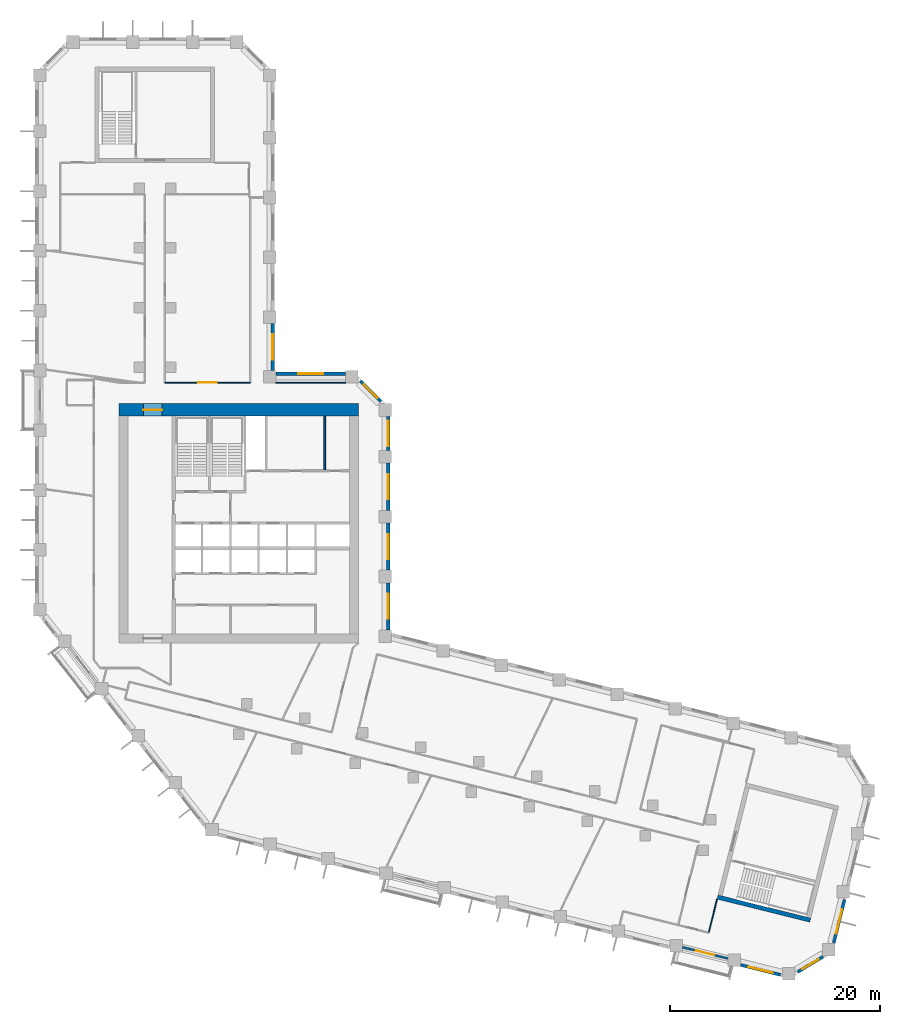
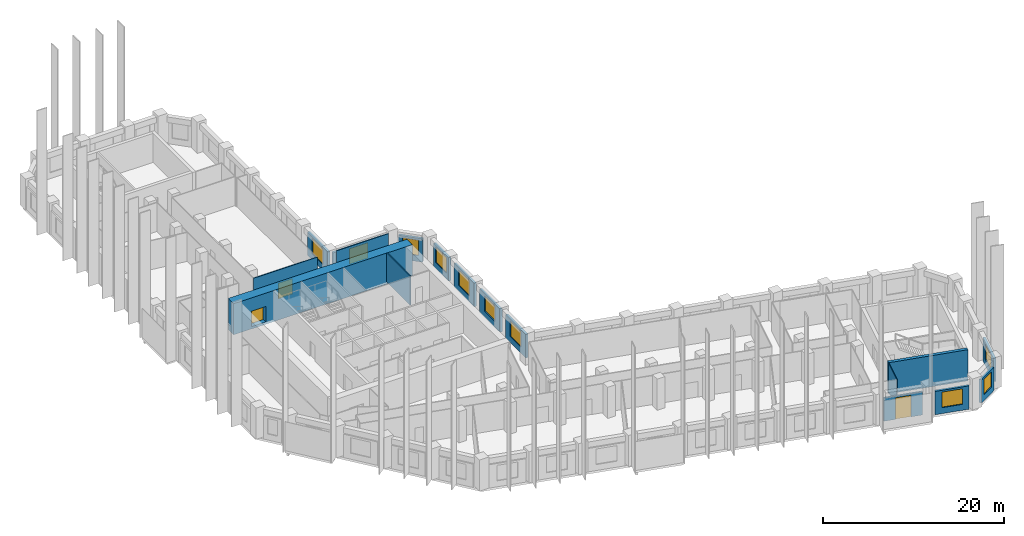
# One storey, part 6 of 10: 17 walls, 10 windows, 3 doors, 13 openings.
"""IFC4 building model written with IfcOpenShell, lengths in metres."""

from ifc_helpers import new_model, si_unit, direction, frame, frame_2d, origin, place, context, subcontext, project, spatial, rectangle, extrude, material, layer, layer_set, type_object, element, fill, save


model = new_model("IFC4")

# Units and contexts
model_context = context("Model", 3, precision=1e-05, world=origin(), true_north=direction((0.0, 1.0)))
body_context = subcontext(model_context, "Body", "Model", "MODEL_VIEW")
ifc_project = project(units=[si_unit("LENGTHUNIT", "METRE"), si_unit("AREAUNIT", "SQUARE_METRE"), si_unit("VOLUMEUNIT", "CUBIC_METRE"), si_unit("PLANEANGLEUNIT", "RADIAN"), si_unit("MASSUNIT", "GRAM", prefix="KILO")], contexts=[model_context])

# Site, building, storey
site_placement = place(None, origin())
site = spatial("IfcSite", under=ifc_project, at=site_placement, CompositionType="ELEMENT")
building_placement = place(site_placement, origin())
building = spatial("IfcBuilding", under=site, at=building_placement, Name="Meshkara Civic Tower", CompositionType="ELEMENT")
storey_placement = place(building_placement, frame((0.0, 0.0, 195.0)))
storey = spatial("IfcBuildingStorey", under=building, at=storey_placement, Name="L44", CompositionType="ELEMENT", Elevation=195.0)

# Wall
ifc_material_1 = material(Name="Blockwork", Category="masonry")
ifc_layer_1 = layer(ifc_material_1, 0.14990234375)
ifc_layer_set_1 = layer_set([ifc_layer_1], Name="Core partition 150")
wall_type_1 = type_object("IfcWallType", Name="Core partition 150", PredefinedType="PARTITIONING", material=ifc_layer_set_1)
wall_1_placement = place(storey_placement, frame((27.60009765625, 30.574951171875, 0.0), z_axis=(0.0, 0.0, 1.0), x_axis=(0.0, 1.0, 0.0)))
element("IfcWall", 1, at=wall_1_placement, inside=storey, type_object=wall_type_1, Name="L44-C022", PredefinedType="PARTITIONING", context=body_context, shape_type="SweptSolid", body=[
    extrude(rectangle(XDim=5.125, YDim=0.14990234375, at=frame_2d((2.5625, 0.0))), origin(), (0.0, 0.0, 1.0), 3.89990234375),
])

# Wall, opening, door
ifc_material_2 = material(Name="Concrete C70", Category="concrete")
ifc_layer_2 = layer(ifc_material_2, 1.199951171875)
ifc_layer_set_2 = layer_set([ifc_layer_2], Name="Core ring wall 1200 C70")
wall_type_2 = type_object("IfcWallType", Name="Core ring wall 1200 C70", PredefinedType="SHEAR", material=ifc_layer_set_2)
wall_2_placement = place(storey_placement, frame((8.0, 36.300048828125, -0.300048828125), z_axis=(0.0, 0.0, 1.0), x_axis=(1.0, 0.0, 0.0)))
wall_2 = element("IfcWall", 2, at=wall_2_placement, inside=storey, type_object=wall_type_2, Name="L44-C002", PredefinedType="SHEAR", context=body_context, shape_type="SweptSolid", body=[
    extrude(rectangle(XDim=22.800048828125, YDim=1.199951171875, at=frame_2d((11.39990234375, 0.0))), origin(), (0.0, 0.0, 1.0), 4.199951171875),
])
opening_1_placement = place(wall_2_placement, frame((2.300048828125, 0.0, 0.300048828125)))
opening_1 = element("IfcOpeningElement", 3, at=opening_1_placement, cuts=wall_2, Name="Opening L44-K020", PredefinedType="OPENING", context=body_context, shape_type="SweptSolid", body=[
    extrude(rectangle(XDim=1.800048828125, YDim=2.10009765625, at=frame_2d((0.89990234375, 1.050048828125))), frame((0.0, 0.60986328125, 0.0), z_axis=(0.0, -1.0, 0.0), x_axis=(1.0, 0.0, 0.0)), (0.0, 0.0, 1.0), 1.219970703125),
])
ifc_material_3 = material(Name="Fire-rated door leaf in steel frame", Category="steel")
door_type_1 = type_object("IfcDoorType", Name="Core double door 1800 EI 60", OperationType="DOUBLE_DOOR_SINGLE_SWING", PredefinedType="DOOR", material=ifc_material_3)
door_1_placement = place(opening_1_placement, origin())
door_1 = element("IfcDoor", 4, at=door_1_placement, inside=storey, type_object=door_type_1, Name="L44-K020", OperationType="DOUBLE_DOOR_SINGLE_SWING", OverallHeight=2.10009765625, OverallWidth=1.800048828125, PredefinedType="DOOR", context=body_context, shape_type="SweptSolid", body=[
    extrude(rectangle(XDim=1.800048828125, YDim=2.10009765625, at=frame_2d((0.89990234375, 1.050048828125))), frame((0.0, 0.02490234375, 0.0), z_axis=(0.0, -1.0, 0.0), x_axis=(1.0, 0.0, 0.0)), (0.0, 0.0, 1.0), 0.050048828125),
])
fill(opening_1, door_1)

ifc_material_4 = material(Name="Corridor wall 100")
ifc_layer_3 = layer(ifc_material_4, 0.10009765625)
ifc_layer_set_3 = layer_set([ifc_layer_3], Name="Corridor wall 100")
wall_type_3 = type_object("IfcWallType", Name="Corridor wall 100", PredefinedType="PARTITIONING", material=ifc_layer_set_3)
wall_3_placement = place(storey_placement, frame((20.5, 38.89990234375, 0.0), z_axis=(0.0, 0.0, 1.0), x_axis=(-1.0, 0.0, 0.0)))
wall_3 = element("IfcWall", 5, at=wall_3_placement, inside=storey, type_object=wall_type_3, Name="L44-W019", PredefinedType="PARTITIONING", context=body_context, shape_type="SweptSolid", body=[
    extrude(rectangle(XDim=8.14990234375, YDim=0.10009765625, at=frame_2d((4.074951171875, 0.0))), origin(), (0.0, 0.0, 1.0), 3.89990234375),
])
opening_2_placement = place(wall_3_placement, frame((3.179931640625, 0.0, 0.0)))
opening_2 = element("IfcOpeningElement", 6, at=opening_2_placement, cuts=wall_3, Name="Opening L44-D017", PredefinedType="OPENING", context=body_context, shape_type="SweptSolid", body=[
    extrude(rectangle(XDim=1.800048828125, YDim=2.10009765625, at=frame_2d((0.89990234375, 1.050048828125))), frame((0.0, 0.06005859375, 0.0), z_axis=(0.0, -1.0, 0.0), x_axis=(1.0, 0.0, 0.0)), (0.0, 0.0, 1.0), 0.1201171875),
])
ifc_material_5 = material(Name="Door pair 1800 x 2100")
door_type_2 = type_object("IfcDoorType", Name="Door pair 1800 x 2100", OperationType="SINGLE_SWING_LEFT", PredefinedType="DOOR", material=ifc_material_5)
door_2_placement = place(opening_2_placement, origin())
door_2 = element("IfcDoor", 7, at=door_2_placement, inside=storey, type_object=door_type_2, Name="L44-D017", OperationType="DOUBLE_DOOR_SINGLE_SWING", OverallHeight=2.10009765625, OverallWidth=1.800048828125, PredefinedType="DOOR", context=body_context, shape_type="SweptSolid", body=[
    extrude(rectangle(XDim=1.800048828125, YDim=2.10009765625, at=frame_2d((0.89990234375, 1.050048828125))), frame((0.0, 0.02490234375, 0.0), z_axis=(0.0, -1.0, 0.0), x_axis=(1.0, 0.0, 0.0)), (0.0, 0.0, 1.0), 0.050048828125),
])
fill(opening_2, door_2)

# Walls
wall_4_placement = place(storey_placement, frame((29.593994140625, 38.89990234375, 0.0), z_axis=(0.0, 0.0, 1.0), x_axis=(-1.0, 0.0, 0.0)))
element("IfcWall", 8, at=wall_4_placement, inside=storey, type_object=wall_type_3, Name="L44-W022", PredefinedType="PARTITIONING", context=body_context, shape_type="SweptSolid", body=[
    extrude(rectangle(XDim=6.64404296875, YDim=0.10009765625, at=frame_2d((3.322021484375, 0.0))), origin(), (0.0, 0.0, 1.0), 3.89990234375),
])
wall_5_placement = place(storey_placement, frame((64.202880859375, -13.533935546875, 0.0), z_axis=(0.0, 0.0, 1.0), x_axis=(0.241856645367, 0.970311992656, 0.0)))
element("IfcWall", 9, at=wall_5_placement, inside=storey, type_object=wall_type_3, Name="L44-W036", PredefinedType="PARTITIONING", context=body_context, shape_type="SweptSolid", body=[
    extrude(rectangle(XDim=3.2998046875, YDim=0.10009765625, at=frame_2d((1.64990234375, 0.0))), origin(), (0.0, 0.0, 1.0), 3.89990234375),
])

# Wall, opening, window
ifc_material_6 = material(Name="Insulated infill panel with bronze anodised aluminium cladding", Category="aluminium")
ifc_layer_4 = layer(ifc_material_6, 0.300048828125)
ifc_layer_set_4 = layer_set([ifc_layer_4], Name="EXTERNAL INFILL WALL 300")
wall_type_4 = type_object("IfcWallType", Name="EXTERNAL INFILL WALL 300", PredefinedType="SOLIDWALL", material=ifc_layer_set_4)
wall_6_placement = place(storey_placement, frame((33.64990234375, 15.319091796875, 0.0), z_axis=(0.0, 0.0, 1.0), x_axis=(0.0, 1.0, 0.0)))
wall_6 = element("IfcWall", 10, at=wall_6_placement, inside=storey, type_object=wall_type_4, Name="External wall", PredefinedType="SOLIDWALL", context=body_context, shape_type="SweptSolid", body=[
    extrude(rectangle(XDim=4.5, YDim=0.300048828125, at=frame_2d((2.25, 0.0))), origin(), (0.0, 0.0, 1.0), 3.14990234375),
])
opening_3_placement = place(wall_6_placement, frame((1.050048828125, 0.0, 0.800048828125)))
opening_3 = element("IfcOpeningElement", 11, at=opening_3_placement, cuts=wall_6, Name="Opening W7", PredefinedType="OPENING", context=body_context, shape_type="SweptSolid", body=[
    extrude(rectangle(XDim=2.39990234375, YDim=2.10009765625, at=frame_2d((1.199951171875, 1.050048828125))), frame((0.0, 0.159912109375, 0.0), z_axis=(0.0, -1.0, 0.0), x_axis=(1.0, 0.0, 0.0)), (0.0, 0.0, 1.0), 0.320068359375),
])
ifc_material_7 = material(Name="Tinted double glazing", Category="glass")
window_type_1 = type_object("IfcWindowType", Name="WINDOW 2400x2100", PartitioningType="DOUBLE_PANEL_VERTICAL", PredefinedType="WINDOW", material=ifc_material_7)
window_1_placement = place(opening_3_placement, origin())
window_1 = element("IfcWindow", 12, at=window_1_placement, inside=storey, type_object=window_type_1, Name="Window", OverallHeight=2.10009765625, OverallWidth=2.39990234375, PartitioningType="DOUBLE_PANEL_VERTICAL", PredefinedType="WINDOW", context=body_context, shape_type="SweptSolid", body=[
    extrude(rectangle(XDim=2.39990234375, YDim=2.10009765625, at=frame_2d((1.199951171875, 1.050048828125))), frame((0.0, 0.030029296875, 0.0), z_axis=(0.0, -1.0, 0.0), x_axis=(1.0, 0.0, 0.0)), (0.0, 0.0, 1.0), 0.06005859375),
])
fill(opening_3, window_1)

wall_7_placement = place(storey_placement, frame((33.64990234375, 21.01904296875, 0.0), z_axis=(0.0, 0.0, 1.0), x_axis=(0.0, 1.0, 0.0)))
wall_7 = element("IfcWall", 13, at=wall_7_placement, inside=storey, type_object=wall_type_4, Name="External wall", PredefinedType="SOLIDWALL", context=body_context, shape_type="SweptSolid", body=[
    extrude(rectangle(XDim=4.5, YDim=0.300048828125, at=frame_2d((2.25, 0.0))), origin(), (0.0, 0.0, 1.0), 3.14990234375),
])
opening_4_placement = place(wall_7_placement, frame((1.050048828125, 0.0, 0.800048828125)))
opening_4 = element("IfcOpeningElement", 14, at=opening_4_placement, cuts=wall_7, Name="Opening W7", PredefinedType="OPENING", context=body_context, shape_type="SweptSolid", body=[
    extrude(rectangle(XDim=2.39990234375, YDim=2.10009765625, at=frame_2d((1.199951171875, 1.050048828125))), frame((0.0, 0.159912109375, 0.0), z_axis=(0.0, -1.0, 0.0), x_axis=(1.0, 0.0, 0.0)), (0.0, 0.0, 1.0), 0.320068359375),
])
window_2_placement = place(opening_4_placement, origin())
window_2 = element("IfcWindow", 15, at=window_2_placement, inside=storey, type_object=window_type_1, Name="Window", OverallHeight=2.10009765625, OverallWidth=2.39990234375, PartitioningType="DOUBLE_PANEL_VERTICAL", PredefinedType="WINDOW", context=body_context, shape_type="SweptSolid", body=[
    extrude(rectangle(XDim=2.39990234375, YDim=2.10009765625, at=frame_2d((1.199951171875, 1.050048828125))), frame((0.0, 0.030029296875, 0.0), z_axis=(0.0, -1.0, 0.0), x_axis=(1.0, 0.0, 0.0)), (0.0, 0.0, 1.0), 0.06005859375),
])
fill(opening_4, window_2)

wall_8_placement = place(storey_placement, frame((33.64990234375, 26.718994140625, 0.0), z_axis=(0.0, 0.0, 1.0), x_axis=(0.0, 1.0, 0.0)))
wall_8 = element("IfcWall", 16, at=wall_8_placement, inside=storey, type_object=wall_type_4, Name="External wall", PredefinedType="SOLIDWALL", context=body_context, shape_type="SweptSolid", body=[
    extrude(rectangle(XDim=4.5, YDim=0.300048828125, at=frame_2d((2.25, 0.0))), origin(), (0.0, 0.0, 1.0), 3.14990234375),
])
opening_5_placement = place(wall_8_placement, frame((1.050048828125, 0.0, 0.800048828125)))
opening_5 = element("IfcOpeningElement", 17, at=opening_5_placement, cuts=wall_8, Name="Opening W7", PredefinedType="OPENING", context=body_context, shape_type="SweptSolid", body=[
    extrude(rectangle(XDim=2.39990234375, YDim=2.10009765625, at=frame_2d((1.199951171875, 1.050048828125))), frame((0.0, 0.159912109375, 0.0), z_axis=(0.0, -1.0, 0.0), x_axis=(1.0, 0.0, 0.0)), (0.0, 0.0, 1.0), 0.320068359375),
])
window_3_placement = place(opening_5_placement, origin())
window_3 = element("IfcWindow", 18, at=window_3_placement, inside=storey, type_object=window_type_1, Name="Window", OverallHeight=2.10009765625, OverallWidth=2.39990234375, PartitioningType="DOUBLE_PANEL_VERTICAL", PredefinedType="WINDOW", context=body_context, shape_type="SweptSolid", body=[
    extrude(rectangle(XDim=2.39990234375, YDim=2.10009765625, at=frame_2d((1.199951171875, 1.050048828125))), frame((0.0, 0.030029296875, 0.0), z_axis=(0.0, -1.0, 0.0), x_axis=(1.0, 0.0, 0.0)), (0.0, 0.0, 1.0), 0.06005859375),
])
fill(opening_5, window_3)

wall_9_placement = place(storey_placement, frame((33.64990234375, 32.4189453125, 0.0), z_axis=(0.0, 0.0, 1.0), x_axis=(0.0, 1.0, 0.0)))
wall_9 = element("IfcWall", 19, at=wall_9_placement, inside=storey, type_object=wall_type_4, Name="External wall", PredefinedType="SOLIDWALL", context=body_context, shape_type="SweptSolid", body=[
    extrude(rectangle(XDim=3.275146484375, YDim=0.300048828125, at=frame_2d((1.6376953125, 0.0))), origin(), (0.0, 0.0, 1.0), 3.14990234375),
])
opening_6_placement = place(wall_9_placement, frame((0.43798828125, 0.0, 0.800048828125)))
opening_6 = element("IfcOpeningElement", 20, at=opening_6_placement, cuts=wall_9, Name="Opening W7", PredefinedType="OPENING", context=body_context, shape_type="SweptSolid", body=[
    extrude(rectangle(XDim=2.39990234375, YDim=2.10009765625, at=frame_2d((1.199951171875, 1.050048828125))), frame((0.0, 0.159912109375, 0.0), z_axis=(0.0, -1.0, 0.0), x_axis=(1.0, 0.0, 0.0)), (0.0, 0.0, 1.0), 0.320068359375),
])
window_4_placement = place(opening_6_placement, origin())
window_4 = element("IfcWindow", 21, at=window_4_placement, inside=storey, type_object=window_type_1, Name="Window", OverallHeight=2.10009765625, OverallWidth=2.39990234375, PartitioningType="DOUBLE_PANEL_VERTICAL", PredefinedType="WINDOW", context=body_context, shape_type="SweptSolid", body=[
    extrude(rectangle(XDim=2.39990234375, YDim=2.10009765625, at=frame_2d((1.199951171875, 1.050048828125))), frame((0.0, 0.030029296875, 0.0), z_axis=(0.0, -1.0, 0.0), x_axis=(1.0, 0.0, 0.0)), (0.0, 0.0, 1.0), 0.06005859375),
])
fill(opening_6, window_4)

wall_10_placement = place(storey_placement, frame((32.9619140625, 37.10595703125, 0.0), z_axis=(0.0, 0.0, 1.0), x_axis=(-0.707062649074, 0.707150910545, 0.0)))
wall_10 = element("IfcWall", 22, at=wall_10_placement, inside=storey, type_object=wall_type_4, Name="External wall", PredefinedType="SOLIDWALL", context=body_context, shape_type="SweptSolid", body=[
    extrude(rectangle(XDim=2.76611328125, YDim=0.300048828125, at=frame_2d((1.383056640625, 0.0))), origin(), (0.0, 0.0, 1.0), 3.14990234375),
])
opening_7_placement = place(wall_10_placement, frame((0.48291015625, 0.0, 0.800048828125)))
opening_7 = element("IfcOpeningElement", 23, at=opening_7_placement, cuts=wall_10, Name="Opening W9", PredefinedType="OPENING", context=body_context, shape_type="SweptSolid", body=[
    extrude(rectangle(XDim=1.800048828125, YDim=2.10009765625, at=frame_2d((0.89990234375, 1.050048828125))), frame((0.0, 0.159912109375, 0.0), z_axis=(0.0, -1.0, 0.0), x_axis=(1.0, 0.0, 0.0)), (0.0, 0.0, 1.0), 0.320068359375),
])
ifc_material_8 = material(Name="Tinted double glazing", Category="glass")
window_type_2 = type_object("IfcWindowType", Name="WINDOW 1800x2100", PartitioningType="DOUBLE_PANEL_VERTICAL", PredefinedType="WINDOW", material=ifc_material_8)
window_5_placement = place(opening_7_placement, origin())
window_5 = element("IfcWindow", 24, at=window_5_placement, inside=storey, type_object=window_type_2, Name="Window", OverallHeight=2.10009765625, OverallWidth=1.800048828125, PartitioningType="DOUBLE_PANEL_VERTICAL", PredefinedType="WINDOW", context=body_context, shape_type="SweptSolid", body=[
    extrude(rectangle(XDim=1.800048828125, YDim=2.10009765625, at=frame_2d((0.89990234375, 1.050048828125))), frame((0.0, 0.030029296875, 0.0), z_axis=(0.0, -1.0, 0.0), x_axis=(1.0, 0.0, 0.0)), (0.0, 0.0, 1.0), 0.06005859375),
])
fill(opening_7, window_5)

wall_11_placement = place(storey_placement, frame((29.593994140625, 39.75, 0.0), z_axis=(0.0, 0.0, 1.0), x_axis=(-1.0, 0.0, 0.0)))
wall_11 = element("IfcWall", 25, at=wall_11_placement, inside=storey, type_object=wall_type_4, Name="External wall", PredefinedType="SOLIDWALL", context=body_context, shape_type="SweptSolid", body=[
    extrude(rectangle(XDim=6.64404296875, YDim=0.300048828125, at=frame_2d((3.322021484375, 0.0))), origin(), (0.0, 0.0, 1.0), 3.14990234375),
])
opening_8_placement = place(wall_11_placement, frame((2.1220703125, 0.0, 0.800048828125)))
opening_8 = element("IfcOpeningElement", 26, at=opening_8_placement, cuts=wall_11, Name="Opening W7", PredefinedType="OPENING", context=body_context, shape_type="SweptSolid", body=[
    extrude(rectangle(XDim=2.39990234375, YDim=2.10009765625, at=frame_2d((1.199951171875, 1.050048828125))), frame((0.0, 0.159912109375, 0.0), z_axis=(0.0, -1.0, 0.0), x_axis=(1.0, 0.0, 0.0)), (0.0, 0.0, 1.0), 0.320068359375),
])
window_6_placement = place(opening_8_placement, origin())
window_6 = element("IfcWindow", 27, at=window_6_placement, inside=storey, type_object=window_type_1, Name="Window", OverallHeight=2.10009765625, OverallWidth=2.39990234375, PartitioningType="DOUBLE_PANEL_VERTICAL", PredefinedType="WINDOW", context=body_context, shape_type="SweptSolid", body=[
    extrude(rectangle(XDim=2.39990234375, YDim=2.10009765625, at=frame_2d((1.199951171875, 1.050048828125))), frame((0.0, 0.030029296875, 0.0), z_axis=(0.0, -1.0, 0.0), x_axis=(1.0, 0.0, 0.0)), (0.0, 0.0, 1.0), 0.06005859375),
])
fill(opening_8, window_6)

wall_12_placement = place(storey_placement, frame((22.64990234375, 40.050048828125, 0.0), z_axis=(0.0, 0.0, 1.0), x_axis=(0.0, 1.0, 0.0)))
wall_12 = element("IfcWall", 28, at=wall_12_placement, inside=storey, type_object=wall_type_4, Name="External wall", PredefinedType="SOLIDWALL", context=body_context, shape_type="SweptSolid", body=[
    extrude(rectangle(XDim=4.5, YDim=0.300048828125, at=frame_2d((2.25, 0.0))), origin(), (0.0, 0.0, 1.0), 3.14990234375),
])
opening_9_placement = place(wall_12_placement, frame((1.050048828125, 0.0, 0.800048828125)))
opening_9 = element("IfcOpeningElement", 29, at=opening_9_placement, cuts=wall_12, Name="Opening W7", PredefinedType="OPENING", context=body_context, shape_type="SweptSolid", body=[
    extrude(rectangle(XDim=2.39990234375, YDim=2.10009765625, at=frame_2d((1.199951171875, 1.050048828125))), frame((0.0, 0.159912109375, 0.0), z_axis=(0.0, -1.0, 0.0), x_axis=(1.0, 0.0, 0.0)), (0.0, 0.0, 1.0), 0.320068359375),
])
window_7_placement = place(opening_9_placement, origin())
window_7 = element("IfcWindow", 30, at=window_7_placement, inside=storey, type_object=window_type_1, Name="Window", OverallHeight=2.10009765625, OverallWidth=2.39990234375, PartitioningType="DOUBLE_PANEL_VERTICAL", PredefinedType="WINDOW", context=body_context, shape_type="SweptSolid", body=[
    extrude(rectangle(XDim=2.39990234375, YDim=2.10009765625, at=frame_2d((1.199951171875, 1.050048828125))), frame((0.0, 0.030029296875, 0.0), z_axis=(0.0, -1.0, 0.0), x_axis=(1.0, 0.0, 0.0)), (0.0, 0.0, 1.0), 0.06005859375),
])
fill(opening_9, window_7)

wall_13_placement = place(storey_placement, frame((67.260009765625, -16.614990234375, 0.0), z_axis=(0.0, 0.0, 1.0), x_axis=(0.97033344074, -0.241770580885, 0.0)))
wall_13 = element("IfcWall", 31, at=wall_13_placement, inside=storey, type_object=wall_type_4, Name="External wall", PredefinedType="SOLIDWALL", context=body_context, shape_type="SweptSolid", body=[
    extrude(rectangle(XDim=3.905029296875, YDim=0.300048828125, at=frame_2d((1.95263671875, 0.0))), origin(), (0.0, 0.0, 1.0), 3.14990234375),
])
opening_10_placement = place(wall_13_placement, frame((0.751953125, 0.0, 0.800048828125)))
opening_10 = element("IfcOpeningElement", 32, at=opening_10_placement, cuts=wall_13, Name="Opening W7", PredefinedType="OPENING", context=body_context, shape_type="SweptSolid", body=[
    extrude(rectangle(XDim=2.39990234375, YDim=2.10009765625, at=frame_2d((1.199951171875, 1.050048828125))), frame((0.0, 0.159912109375, 0.0), z_axis=(0.0, -1.0, 0.0), x_axis=(1.0, 0.0, 0.0)), (0.0, 0.0, 1.0), 0.320068359375),
])
window_8_placement = place(opening_10_placement, origin())
window_8 = element("IfcWindow", 33, at=window_8_placement, inside=storey, type_object=window_type_1, Name="Window", OverallHeight=2.10009765625, OverallWidth=2.39990234375, PartitioningType="DOUBLE_PANEL_VERTICAL", PredefinedType="WINDOW", context=body_context, shape_type="SweptSolid", body=[
    extrude(rectangle(XDim=2.39990234375, YDim=2.10009765625, at=frame_2d((1.199951171875, 1.050048828125))), frame((0.0, 0.030029296875, 0.0), z_axis=(0.0, -1.0, 0.0), x_axis=(1.0, 0.0, 0.0)), (0.0, 0.0, 1.0), 0.06005859375),
])
fill(opening_10, window_8)

wall_14_placement = place(storey_placement, frame((72.68701171875, -17.277099609375, 0.0), z_axis=(0.0, 0.0, 1.0), x_axis=(0.857309341171, 0.514801606, 0.0)))
wall_14 = element("IfcWall", 34, at=wall_14_placement, inside=storey, type_object=wall_type_4, Name="External wall", PredefinedType="SOLIDWALL", context=body_context, shape_type="SweptSolid", body=[
    extrude(rectangle(XDim=2.81689453125, YDim=0.300048828125, at=frame_2d((1.408447265625, 0.0))), origin(), (0.0, 0.0, 1.0), 3.14990234375),
])
opening_11_placement = place(wall_14_placement, frame((0.508056640625, 0.0, 0.800048828125)))
opening_11 = element("IfcOpeningElement", 35, at=opening_11_placement, cuts=wall_14, Name="Opening W9", PredefinedType="OPENING", context=body_context, shape_type="SweptSolid", body=[
    extrude(rectangle(XDim=1.800048828125, YDim=2.10009765625, at=frame_2d((0.89990234375, 1.050048828125))), frame((0.0, 0.159912109375, 0.0), z_axis=(0.0, -1.0, 0.0), x_axis=(1.0, 0.0, 0.0)), (0.0, 0.0, 1.0), 0.320068359375),
])
window_9_placement = place(opening_11_placement, origin())
window_9 = element("IfcWindow", 36, at=window_9_placement, inside=storey, type_object=window_type_2, Name="Window", OverallHeight=2.10009765625, OverallWidth=1.800048828125, PartitioningType="DOUBLE_PANEL_VERTICAL", PredefinedType="WINDOW", context=body_context, shape_type="SweptSolid", body=[
    extrude(rectangle(XDim=1.800048828125, YDim=2.10009765625, at=frame_2d((0.89990234375, 1.050048828125))), frame((0.0, 0.030029296875, 0.0), z_axis=(0.0, -1.0, 0.0), x_axis=(1.0, 0.0, 0.0)), (0.0, 0.0, 1.0), 0.06005859375),
])
fill(opening_11, window_9)

wall_15_placement = place(storey_placement, frame((76.12109375, -14.511962890625, 0.0), z_axis=(0.0, 0.0, 1.0), x_axis=(0.241845562088, 0.970314755169, 0.0)))
wall_15 = element("IfcWall", 37, at=wall_15_placement, inside=storey, type_object=wall_type_4, Name="External wall", PredefinedType="SOLIDWALL", context=body_context, shape_type="SweptSolid", body=[
    extrude(rectangle(XDim=4.245849609375, YDim=0.300048828125, at=frame_2d((2.123046875, 0.0))), origin(), (0.0, 0.0, 1.0), 3.14990234375),
])
opening_12_placement = place(wall_15_placement, frame((0.923095703125, 0.0, 0.800048828125)))
opening_12 = element("IfcOpeningElement", 38, at=opening_12_placement, cuts=wall_15, Name="Opening W7", PredefinedType="OPENING", context=body_context, shape_type="SweptSolid", body=[
    extrude(rectangle(XDim=2.39990234375, YDim=2.10009765625, at=frame_2d((1.199951171875, 1.050048828125))), frame((0.0, 0.159912109375, 0.0), z_axis=(0.0, -1.0, 0.0), x_axis=(1.0, 0.0, 0.0)), (0.0, 0.0, 1.0), 0.320068359375),
])
window_10_placement = place(opening_12_placement, origin())
window_10 = element("IfcWindow", 39, at=window_10_placement, inside=storey, type_object=window_type_1, Name="Window", OverallHeight=2.10009765625, OverallWidth=2.39990234375, PartitioningType="DOUBLE_PANEL_VERTICAL", PredefinedType="WINDOW", context=body_context, shape_type="SweptSolid", body=[
    extrude(rectangle(XDim=2.39990234375, YDim=2.10009765625, at=frame_2d((1.199951171875, 1.050048828125))), frame((0.0, 0.030029296875, 0.0), z_axis=(0.0, -1.0, 0.0), x_axis=(1.0, 0.0, 0.0)), (0.0, 0.0, 1.0), 0.06005859375),
])
fill(opening_12, window_10)

# Wall
ifc_material_9 = material(Name="Concrete C70", Category="concrete")
ifc_layer_5 = layer(ifc_material_9, 0.39990234375)
ifc_layer_set_5 = layer_set([ifc_layer_5], Name="End core ring wall 400 C70")
wall_type_5 = type_object("IfcWallType", Name="End core ring wall 400 C70", PredefinedType="SHEAR", material=ifc_layer_set_5)
wall_16_placement = place(storey_placement, frame((65.050048828125, -10.137939453125, -0.300048828125), z_axis=(0.0, 0.0, 1.0), x_axis=(0.970273354879, -0.242011604707, 0.0)))
element("IfcWall", 40, at=wall_16_placement, inside=storey, type_object=wall_type_5, Name="L44-C028", PredefinedType="SHEAR", context=body_context, shape_type="SweptSolid", body=[
    extrude(rectangle(XDim=9.099365234375, YDim=0.39990234375, at=frame_2d((4.5498046875, 0.0))), origin(), (0.0, 0.0, 1.0), 4.199951171875),
])

# Wall, opening, door
ifc_material_10 = material(Name="Insulated infill panel with bronze anodised aluminium cladding", Category="aluminium")
ifc_layer_6 = layer(ifc_material_10, 0.199951171875)
ifc_layer_set_6 = layer_set([ifc_layer_6], Name="LOGGIA BACK WALL 200")
wall_type_6 = type_object("IfcWallType", Name="LOGGIA BACK WALL 200", PredefinedType="SOLIDWALL", material=ifc_layer_set_6)
wall_17_placement = place(storey_placement, frame((61.697021484375, -14.9189453125, 0.0), z_axis=(0.0, 0.0, 1.0), x_axis=(0.970322450875, -0.241814683856, 0.0)))
wall_17 = element("IfcWall", 41, at=wall_17_placement, inside=storey, type_object=wall_type_6, Name="Loggia wall", PredefinedType="SOLIDWALL", context=body_context, shape_type="SweptSolid", body=[
    extrude(rectangle(XDim=4.46240234375, YDim=0.199951171875, at=frame_2d((2.231201171875, 0.0))), origin(), (0.0, 0.0, 1.0), 3.14990234375),
])
opening_13_placement = place(wall_17_placement, frame((1.3310546875, 0.0, 0.0)))
opening_13 = element("IfcOpeningElement", 42, at=opening_13_placement, cuts=wall_17, Name="Opening L44-L004", PredefinedType="OPENING", context=body_context, shape_type="SweptSolid", body=[
    extrude(rectangle(XDim=1.800048828125, YDim=2.89990234375, at=frame_2d((0.89990234375, 1.449951171875))), frame((0.0, 0.10986328125, 0.0), z_axis=(0.0, -1.0, 0.0), x_axis=(1.0, 0.0, 0.0)), (0.0, 0.0, 1.0), 0.219970703125),
])
ifc_material_11 = material(Name="Tinted double glazing", Category="glass")
door_type_3 = type_object("IfcDoorType", Name="LOGGIA DOOR 1800x2900", OperationType="DOUBLE_DOOR_SINGLE_SWING", PredefinedType="DOOR", material=ifc_material_11)
door_3_placement = place(opening_13_placement, origin())
door_3 = element("IfcDoor", 43, at=door_3_placement, inside=storey, type_object=door_type_3, Name="L44-L004", OperationType="DOUBLE_DOOR_SINGLE_SWING", OverallHeight=2.89990234375, OverallWidth=1.800048828125, PredefinedType="DOOR", context=body_context, shape_type="SweptSolid", body=[
    extrude(rectangle(XDim=1.800048828125, YDim=2.89990234375, at=frame_2d((0.89990234375, 1.449951171875))), frame((0.0, 0.02490234375, 0.0), z_axis=(0.0, -1.0, 0.0), x_axis=(1.0, 0.0, 0.0)), (0.0, 0.0, 1.0), 0.050048828125),
])
fill(opening_13, door_3)

save(model, "model.ifc")
